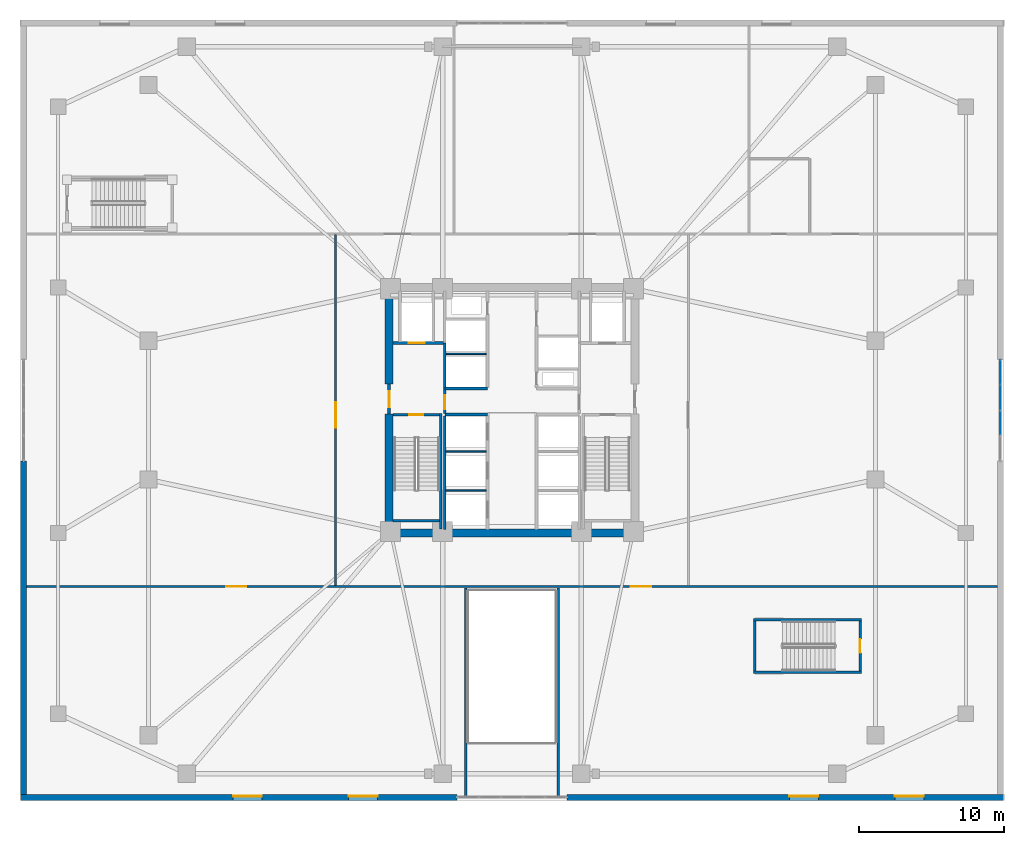
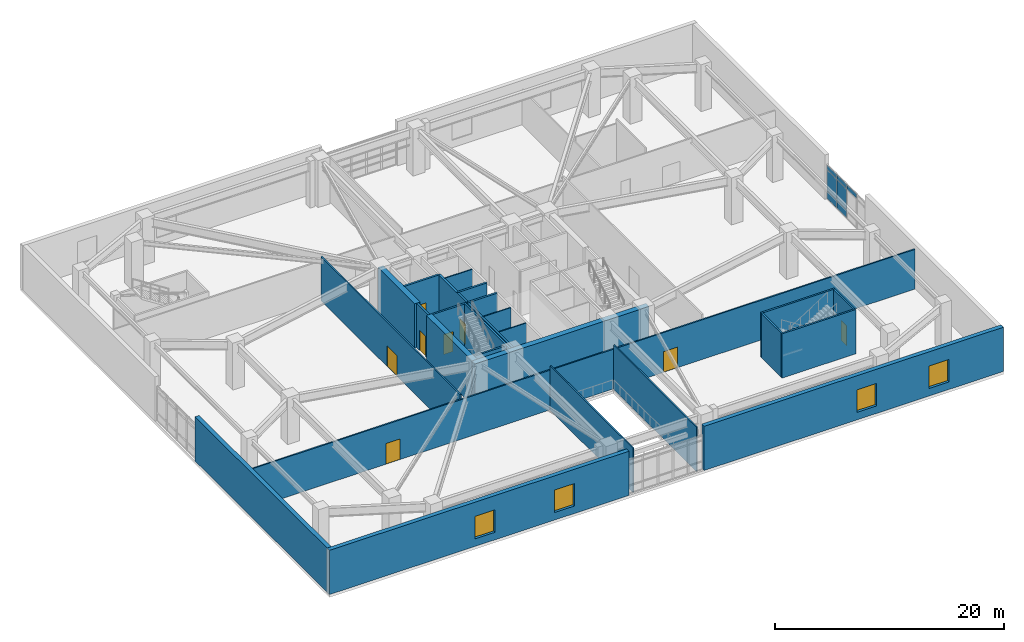
# One storey, part 11 of 20: 26 walls, 8 doors, 7 plates, 4 windows, 12 openings, 1 element without a shape of its own.
"""IFC4 building model written with IfcOpenShell, lengths in metres."""

from ifc_helpers import new_model, si_unit, direction, frame, frame_2d, origin, origin_2d, place, context, subcontext, project, spatial, rectangle, extrude, material, layer, layer_set, type_object, element, fill, aggregate, save


model = new_model("IFC4")

# Units and contexts
model_context = context("Model", 3, precision=1e-05, world=origin(), true_north=direction((0.0, 1.0)))
body_context = subcontext(model_context, "Body", "Model", "MODEL_VIEW")
ifc_project = project(units=[si_unit("LENGTHUNIT", "METRE"), si_unit("AREAUNIT", "SQUARE_METRE"), si_unit("VOLUMEUNIT", "CUBIC_METRE"), si_unit("PLANEANGLEUNIT", "RADIAN"), si_unit("MASSUNIT", "GRAM", prefix="KILO")], contexts=[model_context])

# Site, building, storey
site_placement = place(None, origin())
site = spatial("IfcSite", under=ifc_project, at=site_placement, CompositionType="ELEMENT")
building_placement = place(site_placement, origin())
building = spatial("IfcBuilding", under=site, at=building_placement, Name="Cairnveth Concourse Tower", CompositionType="ELEMENT")
storey_placement = place(building_placement, frame((0.0, 0.0, 5.0)))
storey = spatial("IfcBuildingStorey", under=building, at=storey_placement, Name="L01", CompositionType="ELEMENT", Elevation=5.0)

# Curtain wall, plates
ifc_material_1 = material(Name="Architectural Bronze Anodised Aluminium 6063-T6", Category="aluminium")
ifc_layer_1 = layer(ifc_material_1, 0.340087890625)
ifc_layer_set_1 = layer_set([ifc_layer_1], Name="Architectural Bronze Anodised Aluminium 6063-T6")
curtain_wall_type = type_object("IfcCurtainWallType", Name="PODIUM RETAIL SHOPFRONT CURTAIN WALL", PredefinedType="USERDEFINED", material=ifc_layer_set_1)
curtain_wall_placement = place(storey_placement, origin())
curtain_wall = element("IfcCurtainWall", 1, at=curtain_wall_placement, inside=storey, type_object=curtain_wall_type, Name="Curtain Wall CW-L01-E-SHOP1", ObjectType="SHOPFRONT GLAZING", PredefinedType="USERDEFINED")
ifc_material_2 = material(Name="Double Glazed Low-E Clear Glass", Category="glass")
ifc_layer_2 = layer(ifc_material_2, 0.028076171875)
ifc_layer_set_2 = layer_set([ifc_layer_2], Name="Double Glazed Low-E Clear Glass")
plate_type = type_object("IfcPlateType", Name="DOUBLE GLAZED LOW-E CURTAIN PANEL 28", PredefinedType="CURTAIN_PANEL", material=ifc_layer_set_2)
plate_1_placement = place(storey_placement, frame((85.7900390625, 41.6201171875, 0.06494140625), z_axis=(0.0, 0.0, 1.0), x_axis=(0.0, -1.0, 0.0)))
plate_1 = element("IfcPlate", 2, at=plate_1_placement, type_object=plate_type, Name="CWS2 panel 1.1", PredefinedType="CURTAIN_PANEL", context=body_context, shape_type="SweptSolid", body=[
    extrude(rectangle(XDim=1.659912109375, YDim=0.028076171875, at=origin_2d()), origin(), (0.0, 0.0, 1.0), 0.802490234375),
])
plate_2_placement = place(storey_placement, frame((85.7900390625, 41.6201171875, 0.9326171875), z_axis=(0.0, 0.0, 1.0), x_axis=(0.0, -1.0, 0.0)))
plate_2 = element("IfcPlate", 3, at=plate_2_placement, type_object=plate_type, Name="CWS2 panel 1.2", PredefinedType="CURTAIN_PANEL", context=body_context, shape_type="SweptSolid", body=[
    extrude(rectangle(XDim=1.659912109375, YDim=0.028076171875, at=origin_2d()), origin(), (0.0, 0.0, 1.0), 2.180908203125),
])
plate_3_placement = place(storey_placement, frame((85.7900390625, 41.6201171875, 3.1787109375), z_axis=(0.0, 0.0, 1.0), x_axis=(0.0, -1.0, 0.0)))
plate_3 = element("IfcPlate", 4, at=plate_3_placement, type_object=plate_type, Name="CWS2 panel 1.3", PredefinedType="CURTAIN_PANEL", context=body_context, shape_type="SweptSolid", body=[
    extrude(rectangle(XDim=1.659912109375, YDim=0.028076171875, at=origin_2d()), origin(), (0.0, 0.0, 1.0), 0.452392578125),
])
plate_4_placement = place(storey_placement, frame((85.7900390625, 39.878662109375, 0.06494140625), z_axis=(0.0, 0.0, 1.0), x_axis=(0.0, -1.0, 0.0)))
plate_4 = element("IfcPlate", 5, at=plate_4_placement, type_object=plate_type, Name="CWS2 panel 2.1", PredefinedType="CURTAIN_PANEL", context=body_context, shape_type="SweptSolid", body=[
    extrude(rectangle(XDim=1.6923828125, YDim=0.028076171875, at=origin_2d()), origin(), (0.0, 0.0, 1.0), 0.802490234375),
])
plate_5_placement = place(storey_placement, frame((85.7900390625, 39.878662109375, 0.9326171875), z_axis=(0.0, 0.0, 1.0), x_axis=(0.0, -1.0, 0.0)))
plate_5 = element("IfcPlate", 6, at=plate_5_placement, type_object=plate_type, Name="CWS2 panel 2.2", PredefinedType="CURTAIN_PANEL", context=body_context, shape_type="SweptSolid", body=[
    extrude(rectangle(XDim=1.6923828125, YDim=0.028076171875, at=origin_2d()), origin(), (0.0, 0.0, 1.0), 2.180908203125),
])
plate_6_placement = place(storey_placement, frame((85.7900390625, 39.878662109375, 3.1787109375), z_axis=(0.0, 0.0, 1.0), x_axis=(0.0, -1.0, 0.0)))
plate_6 = element("IfcPlate", 7, at=plate_6_placement, type_object=plate_type, Name="CWS2 panel 2.3", PredefinedType="CURTAIN_PANEL", context=body_context, shape_type="SweptSolid", body=[
    extrude(rectangle(XDim=1.6923828125, YDim=0.028076171875, at=origin_2d()), origin(), (0.0, 0.0, 1.0), 0.452392578125),
])
plate_7_placement = place(storey_placement, frame((85.7900390625, 38.121337890625, 3.1787109375), z_axis=(0.0, 0.0, 1.0), x_axis=(0.0, -1.0, 0.0)))
plate_7 = element("IfcPlate", 8, at=plate_7_placement, type_object=plate_type, Name="CWS2 panel 3.3", PredefinedType="CURTAIN_PANEL", context=body_context, shape_type="SweptSolid", body=[
    extrude(rectangle(XDim=1.6923828125, YDim=0.028076171875, at=origin_2d()), origin(), (0.0, 0.0, 1.0), 0.452392578125),
])
aggregate(curtain_wall, [plate_1, plate_2, plate_3, plate_4, plate_5, plate_6, plate_7])

# Walls
ifc_material_3 = material(Name="Concrete N80 (80 MPa)", Category="concrete")
ifc_layer_3 = layer(ifc_material_3, 0.550048828125)
ifc_layer_set_3 = layer_set([ifc_layer_3], Name="Concrete N80 (80 MPa)")
wall_type_1 = type_object("IfcWallType", Name="CORE SHEAR WALL 550", PredefinedType="SHEAR", material=ifc_layer_set_3)
wall_1_placement = place(storey_placement, frame((43.22509765625, 30.5, 0.0), z_axis=(0.0, 0.0, 1.0), x_axis=(1.0, 0.0, 0.0)))
element("IfcWall", 9, at=wall_1_placement, inside=storey, type_object=wall_type_1, Name="Core South Shear Wall L01", PredefinedType="SHEAR", context=body_context, shape_type="SweptSolid", body=[
    extrude(rectangle(XDim=17.5498046875, YDim=0.550048828125, at=frame_2d((8.77490234375, 0.0))), origin(), (0.0, 0.0, 1.0), 4.719970703125),
])
wall_2_placement = place(storey_placement, frame((43.5, 30.764892578125, 0.0), z_axis=(0.0, 0.0, 1.0), x_axis=(0.0, 1.0, 0.0)))
element("IfcWall", 10, at=wall_2_placement, inside=storey, type_object=wall_type_1, Name="Core West Shear Wall S L01", PredefinedType="SHEAR", context=body_context, shape_type="SweptSolid", body=[
    extrude(rectangle(XDim=7.985107421875, YDim=0.550048828125, at=frame_2d((3.99267578125, 0.0))), origin(), (0.0, 0.0, 1.0), 4.719970703125),
])
wall_3_placement = place(storey_placement, frame((43.5, 40.800048828125, 0.0), z_axis=(0.0, 0.0, 1.0), x_axis=(0.0, 1.0, 0.0)))
element("IfcWall", 11, at=wall_3_placement, inside=storey, type_object=wall_type_1, Name="Core West Shear Wall N L01", PredefinedType="SHEAR", context=body_context, shape_type="SweptSolid", body=[
    extrude(rectangle(XDim=6.43505859375, YDim=0.550048828125, at=frame_2d((3.217529296875, 0.0))), origin(), (0.0, 0.0, 1.0), 4.719970703125),
])
ifc_material_4 = material(Name="Concrete N50 (50 MPa)", Category="concrete")
ifc_layer_4 = layer(ifc_material_4, 0.179931640625)
ifc_layer_set_4 = layer_set([ifc_layer_4], Name="Concrete N50 (50 MPa)")
wall_type_2 = type_object("IfcWallType", Name="FIRE SHAFT WALL 180", PredefinedType="SOLIDWALL", material=ifc_layer_set_4)
wall_4_placement = place(storey_placement, frame((47.35009765625, 30.760009765625, 0.0), z_axis=(0.0, 0.0, 1.0), x_axis=(0.0, 1.0, 0.0)))
element("IfcWall", 12, at=wall_4_placement, inside=storey, type_object=wall_type_2, Name="Interior Wall IW-L01-025", PredefinedType="SOLIDWALL", context=body_context, shape_type="SweptSolid", body=[
    extrude(rectangle(XDim=7.85498046875, YDim=0.179931640625, at=frame_2d((3.927490234375, 0.0))), origin(), (0.0, 0.0, 1.0), 4.719970703125),
])

# Wall, opening, door
wall_5_placement = place(storey_placement, frame((43.764892578125, 38.68994140625, 0.0), z_axis=(0.0, 0.0, 1.0), x_axis=(1.0, 0.0, 0.0)))
wall_5 = element("IfcWall", 13, at=wall_5_placement, inside=storey, type_object=wall_type_2, Name="Stair ST-1 Shaft Wall NEAR L01", PredefinedType="SOLIDWALL", context=body_context, shape_type="SweptSolid", body=[
    extrude(rectangle(XDim=3.230224609375, YDim=0.179931640625, at=frame_2d((1.615234375, 0.0))), origin(), (0.0, 0.0, 1.0), 4.719970703125),
])
opening_1_placement = place(wall_5_placement, frame((1.139892578125, 0.0, 0.0)))
opening_1 = element("IfcOpeningElement", 14, at=opening_1_placement, cuts=wall_5, Name="Opening ID12", PredefinedType="OPENING", context=body_context, shape_type="SweptSolid", body=[
    extrude(rectangle(XDim=0.949951171875, YDim=2.14990234375, at=frame_2d((0.47509765625, 1.074951171875))), frame((0.0, 0.099853515625, 0.0), z_axis=(0.0, -1.0, 0.0), x_axis=(1.0, 0.0, 0.0)), (0.0, 0.0, 1.0), 0.199951171875),
])
ifc_material_5 = material(Name="Steel Grade 350", Category="steel")
door_type_1 = type_object("IfcDoorType", Name="FIRE STAIR DOOR 950X2150", OperationType="NOTDEFINED", PredefinedType="DOOR", material=ifc_material_5)
door_1_placement = place(opening_1_placement, origin())
door_1 = element("IfcDoor", 15, at=door_1_placement, inside=storey, type_object=door_type_1, Name="Stair ST-1 Fire Door L01", OperationType="SINGLE_SWING_LEFT", OverallHeight=2.14990234375, OverallWidth=0.949951171875, PredefinedType="DOOR", context=body_context, shape_type="SweptSolid", body=[
    extrude(rectangle(XDim=0.949951171875, YDim=2.14990234375, at=frame_2d((0.47509765625, 1.074951171875))), frame((0.0, 0.02490234375, 0.0), z_axis=(0.0, -1.0, 0.0), x_axis=(1.0, 0.0, 0.0)), (0.0, 0.0, 1.0), 0.050048828125),
])
fill(opening_1, door_1)

# Walls
wall_6_placement = place(storey_placement, frame((43.764892578125, 31.360107421875, 0.0), z_axis=(0.0, 0.0, 1.0), x_axis=(1.0, 0.0, 0.0)))
element("IfcWall", 16, at=wall_6_placement, inside=storey, type_object=wall_type_2, Name="Stair ST-1 Shaft Wall FAR L01", PredefinedType="SOLIDWALL", context=body_context, shape_type="SweptSolid", body=[
    extrude(rectangle(XDim=3.230224609375, YDim=0.179931640625, at=frame_2d((1.615234375, 0.0))), origin(), (0.0, 0.0, 1.0), 4.719970703125),
])
wall_7_placement = place(storey_placement, frame((47.070068359375, 38.780029296875, 0.0), z_axis=(0.0, 0.0, 1.0), x_axis=(0.0, -1.0, 0.0)))
element("IfcWall", 17, at=wall_7_placement, inside=storey, type_object=wall_type_2, Name="Stair ST-1 Shaft Wall RGHT L01", PredefinedType="SOLIDWALL", context=body_context, shape_type="SweptSolid", body=[
    extrude(rectangle(XDim=8.01708984375, YDim=0.179931640625, at=frame_2d((4.008544921875, 0.0))), origin(), (0.0, 0.0, 1.0), 4.719970703125),
])

# Wall, opening, door
wall_8_placement = place(storey_placement, frame((76.090087890625, 24.4150390625, 0.0), z_axis=(0.0, 0.0, 1.0), x_axis=(0.0, -1.0, 0.0)))
wall_8 = element("IfcWall", 18, at=wall_8_placement, inside=storey, type_object=wall_type_2, Name="Stair ST-P2 Shaft Wall NEAR L01", PredefinedType="SOLIDWALL", context=body_context, shape_type="SweptSolid", body=[
    extrude(rectangle(XDim=3.469970703125, YDim=0.179931640625, at=frame_2d((1.73486328125, 0.0))), origin(), (0.0, 0.0, 1.0), 4.719970703125),
])
opening_2_placement = place(wall_8_placement, frame((1.260009765625, 0.0, 0.0)))
opening_2 = element("IfcOpeningElement", 19, at=opening_2_placement, cuts=wall_8, Name="Opening ID12", PredefinedType="OPENING", context=body_context, shape_type="SweptSolid", body=[
    extrude(rectangle(XDim=0.949951171875, YDim=2.14990234375, at=frame_2d((0.47509765625, 1.074951171875))), frame((0.0, 0.099853515625, 0.0), z_axis=(0.0, -1.0, 0.0), x_axis=(1.0, 0.0, 0.0)), (0.0, 0.0, 1.0), 0.199951171875),
])
door_2_placement = place(opening_2_placement, origin())
door_2 = element("IfcDoor", 20, at=door_2_placement, inside=storey, type_object=door_type_1, Name="Stair ST-P2 Fire Door L01", OperationType="SINGLE_SWING_RIGHT", OverallHeight=2.14990234375, OverallWidth=0.949951171875, PredefinedType="DOOR", context=body_context, shape_type="SweptSolid", body=[
    extrude(rectangle(XDim=0.949951171875, YDim=2.14990234375, at=frame_2d((0.47509765625, 1.074951171875))), frame((0.0, 0.02490234375, 0.0), z_axis=(0.0, -1.0, 0.0), x_axis=(1.0, 0.0, 0.0)), (0.0, 0.0, 1.0), 0.050048828125),
])
fill(opening_2, door_2)

# Walls
wall_9_placement = place(storey_placement, frame((68.81005859375, 24.4150390625, 0.0), z_axis=(0.0, 0.0, 1.0), x_axis=(0.0, -1.0, 0.0)))
element("IfcWall", 21, at=wall_9_placement, inside=storey, type_object=wall_type_2, Name="Stair ST-P2 Shaft Wall FAR L01", PredefinedType="SOLIDWALL", context=body_context, shape_type="SweptSolid", body=[
    extrude(rectangle(XDim=3.469970703125, YDim=0.179931640625, at=frame_2d((1.73486328125, 0.0))), origin(), (0.0, 0.0, 1.0), 4.719970703125),
])
for number, where, z_axis, x_axis, name in (
    (22, (76.179931640625, 24.489990234375, 0.0), (0.0, 0.0, 1.0), (-1.0, 0.0, 0.0), "Stair ST-P2 Shaft Wall LEFT L01"),
    (23, (76.179931640625, 20.8701171875, 0.0), (0.0, 0.0, 1.0), (-1.0, 0.0, 0.0), "Stair ST-P2 Shaft Wall RGHT L01"),
):
    element("IfcWall", number, at=place(storey_placement, frame(where, z_axis=z_axis, x_axis=x_axis)), inside=storey, type_object=wall_type_2, Name=name, PredefinedType="SOLIDWALL", context=body_context, shape_type="SweptSolid", body=[
        extrude(rectangle(XDim=7.4599609375, YDim=0.179931640625, at=frame_2d((3.72998046875, 0.0))), origin(), (0.0, 0.0, 1.0), 4.719970703125),
    ])
ifc_layer_5 = layer(ifc_material_4, 0.199951171875)
ifc_layer_set_5 = layer_set([ifc_layer_5], Name="Concrete N50 (50 MPa)")
wall_type_3 = type_object("IfcWallType", Name="FIRE SHAFT WALL 200", PredefinedType="SOLIDWALL", material=ifc_layer_set_5)
for number, where, z_axis, x_axis, name in (
    (24, (47.35009765625, 38.699951171875, 0.0), (0.0, 0.0, 1.0), (1.0, 0.0, 0.0), "Interior Wall IW-L01-007"),
    (25, (47.35009765625, 40.5, 0.0), (0.0, 0.0, 1.0), (1.0, 0.0, 0.0), "Interior Wall IW-L01-008"),
):
    element("IfcWall", number, at=place(storey_placement, frame(where, z_axis=z_axis, x_axis=x_axis)), inside=storey, type_object=wall_type_3, Name=name, PredefinedType="SOLIDWALL", context=body_context, shape_type="SweptSolid", body=[
        extrude(rectangle(XDim=2.949951171875, YDim=0.199951171875, at=frame_2d((1.47509765625, 0.0))), origin(), (0.0, 0.0, 1.0), 4.719970703125),
    ])

# Wall, opening, door
wall_10_placement = place(storey_placement, frame((43.5, 38.75, 0.0), z_axis=(0.0, 0.0, 1.0), x_axis=(0.0, 1.0, 0.0)))
wall_10 = element("IfcWall", 26, at=wall_10_placement, inside=storey, type_object=wall_type_3, Name="Interior Wall IW-L01-015", PredefinedType="SOLIDWALL", context=body_context, shape_type="SweptSolid", body=[
    extrude(rectangle(XDim=2.050048828125, YDim=0.199951171875, at=frame_2d((1.02490234375, 0.0))), origin(), (0.0, 0.0, 1.0), 4.719970703125),
])
opening_3_placement = place(wall_10_placement, frame((0.449951171875, 0.0, 0.0)))
opening_3 = element("IfcOpeningElement", 27, at=opening_3_placement, cuts=wall_10, Name="Opening ID06", PredefinedType="OPENING", context=body_context, shape_type="SweptSolid", body=[
    extrude(rectangle(XDim=1.10009765625, YDim=2.14990234375, at=frame_2d((0.550048828125, 1.074951171875))), frame((0.0, 0.10986328125, 0.0), z_axis=(0.0, -1.0, 0.0), x_axis=(1.0, 0.0, 0.0)), (0.0, 0.0, 1.0), 0.219970703125),
])
door_type_2 = type_object("IfcDoorType", Name="FIRE CORRIDOR DOOR 1100X2150", OperationType="NOTDEFINED", PredefinedType="DOOR", material=ifc_material_5)
door_3_placement = place(opening_3_placement, origin())
door_3 = element("IfcDoor", 28, at=door_3_placement, inside=storey, type_object=door_type_2, Name="West Wing to FF Lobby Door L01", OperationType="SINGLE_SWING_LEFT", OverallHeight=2.14990234375, OverallWidth=1.10009765625, PredefinedType="DOOR", context=body_context, shape_type="SweptSolid", body=[
    extrude(rectangle(XDim=1.10009765625, YDim=2.14990234375, at=frame_2d((0.550048828125, 1.074951171875))), frame((0.0, 0.02490234375, 0.0), z_axis=(0.0, -1.0, 0.0), x_axis=(1.0, 0.0, 0.0)), (0.0, 0.0, 1.0), 0.050048828125),
])
fill(opening_3, door_3)

wall_11_placement = place(storey_placement, frame((47.35009765625, 38.784912109375, 0.0), z_axis=(0.0, 0.0, 1.0), x_axis=(0.0, 1.0, 0.0)))
wall_11 = element("IfcWall", 29, at=wall_11_placement, inside=storey, type_object=wall_type_3, Name="Interior Wall IW-L01-016", PredefinedType="SOLIDWALL", context=body_context, shape_type="SweptSolid", body=[
    extrude(rectangle(XDim=4.864990234375, YDim=0.199951171875, at=frame_2d((2.4326171875, 0.0))), origin(), (0.0, 0.0, 1.0), 4.719970703125),
])
opening_4_placement = place(wall_11_placement, frame((0.264892578125, 0.0, 0.0)))
opening_4 = element("IfcOpeningElement", 30, at=opening_4_placement, cuts=wall_11, Name="Opening ID07", PredefinedType="OPENING", context=body_context, shape_type="SweptSolid", body=[
    extrude(rectangle(XDim=1.0, YDim=2.14990234375, at=frame_2d((0.5, 1.074951171875))), frame((0.0, 0.10986328125, 0.0), z_axis=(0.0, -1.0, 0.0), x_axis=(1.0, 0.0, 0.0)), (0.0, 0.0, 1.0), 0.219970703125),
])
door_type_3 = type_object("IfcDoorType", Name="FIRE CORRIDOR DOOR 1000X2150", OperationType="NOTDEFINED", PredefinedType="DOOR", material=ifc_material_5)
door_4_placement = place(opening_4_placement, origin())
door_4 = element("IfcDoor", 31, at=door_4_placement, inside=storey, type_object=door_type_3, Name="FF Lobby West to Lift Lobby Door L01", OperationType="SINGLE_SWING_RIGHT", OverallHeight=2.14990234375, OverallWidth=1.0, PredefinedType="DOOR", context=body_context, shape_type="SweptSolid", body=[
    extrude(rectangle(XDim=1.0, YDim=2.14990234375, at=frame_2d((0.5, 1.074951171875))), frame((0.0, 0.02490234375, 0.0), z_axis=(0.0, -1.0, 0.0), x_axis=(1.0, 0.0, 0.0)), (0.0, 0.0, 1.0), 0.050048828125),
])
fill(opening_4, door_4)

wall_12_placement = place(storey_placement, frame((43.760009765625, 43.64990234375, 0.0), z_axis=(0.0, 0.0, 1.0), x_axis=(1.0, 0.0, 0.0)))
wall_12 = element("IfcWall", 32, at=wall_12_placement, inside=storey, type_object=wall_type_3, Name="Interior Wall IW-L01-017", PredefinedType="SOLIDWALL", context=body_context, shape_type="SweptSolid", body=[
    extrude(rectangle(XDim=3.5048828125, YDim=0.199951171875, at=frame_2d((1.75244140625, 0.0))), origin(), (0.0, 0.0, 1.0), 4.719970703125),
])
opening_5_placement = place(wall_12_placement, frame((1.110107421875, 0.0, 0.0)))
opening_5 = element("IfcOpeningElement", 33, at=opening_5_placement, cuts=wall_12, Name="Opening LD-1", PredefinedType="OPENING", context=body_context, shape_type="SweptSolid", body=[
    extrude(rectangle(XDim=1.10009765625, YDim=2.199951171875, at=frame_2d((0.550048828125, 1.10009765625))), frame((0.0, 0.10986328125, 0.0), z_axis=(0.0, -1.0, 0.0), x_axis=(1.0, 0.0, 0.0)), (0.0, 0.0, 1.0), 0.219970703125),
])
door_type_4 = type_object("IfcDoorType", Name="LIFT LANDING DOOR 1100X2200", OperationType="SLIDING_TO_LEFT", PredefinedType="DOOR", material=ifc_material_1)
door_5_placement = place(opening_5_placement, origin())
door_5 = element("IfcDoor", 34, at=door_5_placement, inside=storey, type_object=door_type_4, Name="Lift FFL1 Landing Door L01", OperationType="SLIDING_TO_LEFT", OverallHeight=2.199951171875, OverallWidth=1.10009765625, PredefinedType="DOOR", context=body_context, shape_type="SweptSolid", body=[
    extrude(rectangle(XDim=1.10009765625, YDim=2.199951171875, at=frame_2d((0.550048828125, 1.10009765625))), frame((0.0, 0.02490234375, 0.0), z_axis=(0.0, -1.0, 0.0), x_axis=(1.0, 0.0, 0.0)), (0.0, 0.0, 1.0), 0.050048828125),
])
fill(opening_5, door_5)

# Wall, openings, doors
ifc_material_6 = material(Name="Gypsum Plasterboard Partition", Category="gypsum")
ifc_layer_6 = layer(ifc_material_6, 0.139892578125)
ifc_layer_set_6 = layer_set([ifc_layer_6], Name="Gypsum Plasterboard Partition")
wall_type_4 = type_object("IfcWallType", Name="GYPSUM STUD PARTITION 140", PredefinedType="PARTITIONING", material=ifc_layer_set_6)
wall_13_placement = place(storey_placement, frame((18.405029296875, 26.800048828125, 0.0), z_axis=(0.0, 0.0, 1.0), x_axis=(1.0, 0.0, 0.0)))
wall_13 = element("IfcWall", 35, at=wall_13_placement, inside=storey, type_object=wall_type_4, Name="Interior Wall IW-L01-037", PredefinedType="PARTITIONING", context=body_context, shape_type="SweptSolid", body=[
    extrude(rectangle(XDim=67.18994140625, YDim=0.139892578125, at=frame_2d((33.594970703125, 0.0))), origin(), (0.0, 0.0, 1.0), 4.238037109375),
])
opening_6_placement = place(wall_13_placement, frame((13.81494140625, 0.0, 0.0)))
opening_6 = element("IfcOpeningElement", 36, at=opening_6_placement, cuts=wall_13, Name="Opening ID03", PredefinedType="OPENING", context=body_context, shape_type="SweptSolid", body=[
    extrude(rectangle(XDim=1.39990234375, YDim=2.199951171875, at=frame_2d((0.699951171875, 1.10009765625))), frame((0.0, 0.079833984375, 0.0), z_axis=(0.0, -1.0, 0.0), x_axis=(1.0, 0.0, 0.0)), (0.0, 0.0, 1.0), 0.159912109375),
])
opening_7_placement = place(wall_13_placement, frame((41.81494140625, 0.0, 0.0)))
opening_7 = element("IfcOpeningElement", 37, at=opening_7_placement, cuts=wall_13, Name="Opening ID03", PredefinedType="OPENING", context=body_context, shape_type="SweptSolid", body=[
    extrude(rectangle(XDim=1.39990234375, YDim=2.199951171875, at=frame_2d((0.699951171875, 1.10009765625))), frame((0.0, 0.079833984375, 0.0), z_axis=(0.0, -1.0, 0.0), x_axis=(1.0, 0.0, 0.0)), (0.0, 0.0, 1.0), 0.159912109375),
])
door_type_5 = type_object("IfcDoorType", Name="RETAIL GLAZED DOOR 1400X2200", OperationType="DOUBLE_DOOR_SINGLE_SWING", PredefinedType="DOOR", material=ifc_material_1)
door_6_placement = place(opening_6_placement, origin())
door_6 = element("IfcDoor", 38, at=door_6_placement, inside=storey, type_object=door_type_5, Name="Interior Door DR-L01-013", OperationType="SINGLE_SWING_LEFT", OverallHeight=2.199951171875, OverallWidth=1.39990234375, PredefinedType="DOOR", context=body_context, shape_type="SweptSolid", body=[
    extrude(rectangle(XDim=1.39990234375, YDim=2.199951171875, at=frame_2d((0.699951171875, 1.10009765625))), frame((0.0, 0.02490234375, 0.0), z_axis=(0.0, -1.0, 0.0), x_axis=(1.0, 0.0, 0.0)), (0.0, 0.0, 1.0), 0.050048828125),
])
fill(opening_6, door_6)
door_7_placement = place(opening_7_placement, origin())
door_7 = element("IfcDoor", 39, at=door_7_placement, inside=storey, type_object=door_type_5, Name="Interior Door DR-L01-014", OperationType="SINGLE_SWING_RIGHT", OverallHeight=2.199951171875, OverallWidth=1.39990234375, PredefinedType="DOOR", context=body_context, shape_type="SweptSolid", body=[
    extrude(rectangle(XDim=1.39990234375, YDim=2.199951171875, at=frame_2d((0.699951171875, 1.10009765625))), frame((0.0, 0.02490234375, 0.0), z_axis=(0.0, -1.0, 0.0), x_axis=(1.0, 0.0, 0.0)), (0.0, 0.0, 1.0), 0.050048828125),
])
fill(opening_7, door_7)

# Wall, opening, door
wall_14_placement = place(storey_placement, frame((39.800048828125, 26.85498046875, 0.0), z_axis=(0.0, 0.0, 1.0), x_axis=(0.0, 1.0, 0.0)))
wall_14 = element("IfcWall", 40, at=wall_14_placement, inside=storey, type_object=wall_type_4, Name="Interior Wall IW-L01-039", PredefinedType="PARTITIONING", context=body_context, shape_type="SweptSolid", body=[
    extrude(rectangle(XDim=24.2900390625, YDim=0.139892578125, at=frame_2d((12.14501953125, 0.0))), origin(), (0.0, 0.0, 1.0), 4.719970703125),
])
opening_8_placement = place(wall_14_placement, frame((10.945068359375, 0.0, 0.0)))
opening_8 = element("IfcOpeningElement", 41, at=opening_8_placement, cuts=wall_14, Name="Opening ID27", PredefinedType="OPENING", context=body_context, shape_type="SweptSolid", body=[
    extrude(rectangle(XDim=1.760009765625, YDim=2.199951171875, at=frame_2d((0.8798828125, 1.10009765625))), frame((0.0, 0.079833984375, 0.0), z_axis=(0.0, -1.0, 0.0), x_axis=(1.0, 0.0, 0.0)), (0.0, 0.0, 1.0), 0.159912109375),
])
ifc_material_7 = material(Name="Solid Core Hardwood Timber Leaf", Category="wood")
door_type_6 = type_object("IfcDoorType", Name="CONCOURSE DOUBLE DOOR 1760X2200", OperationType="DOUBLE_DOOR_SINGLE_SWING", PredefinedType="DOOR", material=ifc_material_7)
door_8_placement = place(opening_8_placement, origin())
door_8 = element("IfcDoor", 42, at=door_8_placement, inside=storey, type_object=door_type_6, Name="Interior Door DR-L01-019", OperationType="DOUBLE_DOOR_SINGLE_SWING", OverallHeight=2.199951171875, OverallWidth=1.760009765625, PredefinedType="DOOR", context=body_context, shape_type="SweptSolid", body=[
    extrude(rectangle(XDim=1.760009765625, YDim=2.199951171875, at=frame_2d((0.8798828125, 1.10009765625))), frame((0.0, 0.02490234375, 0.0), z_axis=(0.0, -1.0, 0.0), x_axis=(1.0, 0.0, 0.0)), (0.0, 0.0, 1.0), 0.050048828125),
])
fill(opening_8, door_8)

# Walls
for number, where, z_axis, x_axis, name in (
    (43, (48.800048828125, 12.219970703125, 0.0), (0.0, 0.0, 1.0), (0.0, 1.0, 0.0), "Interior Wall IW-L01-041"),
    (44, (55.199951171875, 12.219970703125, 0.0), (0.0, 0.0, 1.0), (0.0, 1.0, 0.0), "Interior Wall IW-L01-042"),
):
    element("IfcWall", number, at=place(storey_placement, frame(where, z_axis=z_axis, x_axis=x_axis)), inside=storey, type_object=wall_type_4, Name=name, PredefinedType="PARTITIONING", context=body_context, shape_type="SweptSolid", body=[
        extrude(rectangle(XDim=14.47998046875, YDim=0.139892578125, at=frame_2d((7.239990234375, 0.0))), origin(), (0.0, 0.0, 1.0), 4.719970703125),
    ])

# Wall, openings, windows
ifc_material_8 = material(Name="Hawthorn Red-Ochre Fired Clay Brick Masonry", Category="masonry")
ifc_layer_7 = layer(ifc_material_8, 0.419921875)
ifc_layer_set_7 = layer_set([ifc_layer_7], Name="Hawthorn Red-Ochre Fired Clay Brick Masonry")
wall_type_5 = type_object("IfcWallType", Name="PODIUM HAWTHORN BRICK WALL 420", PredefinedType="SOLIDWALL", material=ifc_layer_set_7)
wall_15_placement = place(storey_placement, frame((86.0, 12.2099609375, 0.0), z_axis=(0.0, 0.0, 1.0), x_axis=(-1.0, 0.0, 0.0)))
wall_15 = element("IfcWall", 45, at=wall_15_placement, inside=storey, type_object=wall_type_5, Name="Exterior Wall EW-L01-SE", PredefinedType="SOLIDWALL", context=body_context, shape_type="SweptSolid", body=[
    extrude(rectangle(XDim=30.199951171875, YDim=0.419921875, at=frame_2d((15.10009765625, 0.0))), origin(), (0.0, 0.0, 1.0), 4.719970703125),
])
opening_9_placement = place(wall_15_placement, frame((5.5, 0.0, 0.800048828125)))
opening_9 = element("IfcOpeningElement", 46, at=opening_9_placement, cuts=wall_15, Name="Opening W10", PredefinedType="OPENING", context=body_context, shape_type="SweptSolid", body=[
    extrude(rectangle(XDim=2.0, YDim=2.39990234375, at=frame_2d((1.0, 1.199951171875))), frame((0.0, 0.219970703125, 0.0), z_axis=(0.0, -1.0, 0.0), x_axis=(1.0, 0.0, 0.0)), (0.0, 0.0, 1.0), 0.43994140625),
])
opening_10_placement = place(wall_15_placement, frame((12.800048828125, 0.0, 0.800048828125)))
opening_10 = element("IfcOpeningElement", 47, at=opening_10_placement, cuts=wall_15, Name="Opening W10", PredefinedType="OPENING", context=body_context, shape_type="SweptSolid", body=[
    extrude(rectangle(XDim=2.0, YDim=2.39990234375, at=frame_2d((1.0, 1.199951171875))), frame((0.0, 0.219970703125, 0.0), z_axis=(0.0, -1.0, 0.0), x_axis=(1.0, 0.0, 0.0)), (0.0, 0.0, 1.0), 0.43994140625),
])
window_type = type_object("IfcWindowType", Name="DEEP-SET PODIUM ARCHED WINDOW 2000X2400", PartitioningType="DOUBLE_PANEL_VERTICAL", PredefinedType="WINDOW", material=ifc_material_2)
window_1_placement = place(opening_9_placement, origin())
window_1 = element("IfcWindow", 48, at=window_1_placement, inside=storey, type_object=window_type, Name="WIN-L01-SE-1", OverallHeight=2.39990234375, OverallWidth=2.0, PartitioningType="SINGLE_PANEL", PredefinedType="WINDOW", context=body_context, shape_type="SweptSolid", body=[
    extrude(rectangle(XDim=2.0, YDim=2.39990234375, at=frame_2d((1.0, 1.199951171875))), frame((0.0, -0.050048828125, 0.0), z_axis=(0.0, -1.0, 0.0), x_axis=(1.0, 0.0, 0.0)), (0.0, 0.0, 1.0), 0.06005859375),
])
fill(opening_9, window_1)
window_2_placement = place(opening_10_placement, origin())
window_2 = element("IfcWindow", 49, at=window_2_placement, inside=storey, type_object=window_type, Name="WIN-L01-SE-2", OverallHeight=2.39990234375, OverallWidth=2.0, PartitioningType="SINGLE_PANEL", PredefinedType="WINDOW", context=body_context, shape_type="SweptSolid", body=[
    extrude(rectangle(XDim=2.0, YDim=2.39990234375, at=frame_2d((1.0, 1.199951171875))), frame((0.0, -0.050048828125, 0.0), z_axis=(0.0, -1.0, 0.0), x_axis=(1.0, 0.0, 0.0)), (0.0, 0.0, 1.0), 0.06005859375),
])
fill(opening_10, window_2)

wall_16_placement = place(storey_placement, frame((48.199951171875, 12.2099609375, 0.0), z_axis=(0.0, 0.0, 1.0), x_axis=(-1.0, 0.0, 0.0)))
wall_16 = element("IfcWall", 50, at=wall_16_placement, inside=storey, type_object=wall_type_5, Name="Exterior Wall EW-L01-SW", PredefinedType="SOLIDWALL", context=body_context, shape_type="SweptSolid", body=[
    extrude(rectangle(XDim=30.199951171875, YDim=0.419921875, at=frame_2d((15.10009765625, 0.0))), origin(), (0.0, 0.0, 1.0), 4.719970703125),
])
opening_11_placement = place(wall_16_placement, frame((5.5, 0.0, 0.800048828125)))
opening_11 = element("IfcOpeningElement", 51, at=opening_11_placement, cuts=wall_16, Name="Opening W10", PredefinedType="OPENING", context=body_context, shape_type="SweptSolid", body=[
    extrude(rectangle(XDim=2.0, YDim=2.39990234375, at=frame_2d((1.0, 1.199951171875))), frame((0.0, 0.219970703125, 0.0), z_axis=(0.0, -1.0, 0.0), x_axis=(1.0, 0.0, 0.0)), (0.0, 0.0, 1.0), 0.43994140625),
])
opening_12_placement = place(wall_16_placement, frame((13.5, 0.0, 0.800048828125)))
opening_12 = element("IfcOpeningElement", 52, at=opening_12_placement, cuts=wall_16, Name="Opening W10", PredefinedType="OPENING", context=body_context, shape_type="SweptSolid", body=[
    extrude(rectangle(XDim=2.0, YDim=2.39990234375, at=frame_2d((1.0, 1.199951171875))), frame((0.0, 0.219970703125, 0.0), z_axis=(0.0, -1.0, 0.0), x_axis=(1.0, 0.0, 0.0)), (0.0, 0.0, 1.0), 0.43994140625),
])
window_3_placement = place(opening_11_placement, origin())
window_3 = element("IfcWindow", 53, at=window_3_placement, inside=storey, type_object=window_type, Name="WIN-L01-SW-1", OverallHeight=2.39990234375, OverallWidth=2.0, PartitioningType="SINGLE_PANEL", PredefinedType="WINDOW", context=body_context, shape_type="SweptSolid", body=[
    extrude(rectangle(XDim=2.0, YDim=2.39990234375, at=frame_2d((1.0, 1.199951171875))), frame((0.0, -0.050048828125, 0.0), z_axis=(0.0, -1.0, 0.0), x_axis=(1.0, 0.0, 0.0)), (0.0, 0.0, 1.0), 0.06005859375),
])
fill(opening_11, window_3)
window_4_placement = place(opening_12_placement, origin())
window_4 = element("IfcWindow", 54, at=window_4_placement, inside=storey, type_object=window_type, Name="WIN-L01-SW-2", OverallHeight=2.39990234375, OverallWidth=2.0, PartitioningType="SINGLE_PANEL", PredefinedType="WINDOW", context=body_context, shape_type="SweptSolid", body=[
    extrude(rectangle(XDim=2.0, YDim=2.39990234375, at=frame_2d((1.0, 1.199951171875))), frame((0.0, -0.050048828125, 0.0), z_axis=(0.0, -1.0, 0.0), x_axis=(1.0, 0.0, 0.0)), (0.0, 0.0, 1.0), 0.06005859375),
])
fill(opening_12, window_4)

# Walls
wall_17_placement = place(storey_placement, frame((18.2099609375, 12.405029296875, 0.0), z_axis=(0.0, 0.0, 1.0), x_axis=(0.0, 1.0, 0.0)))
element("IfcWall", 55, at=wall_17_placement, inside=storey, type_object=wall_type_5, Name="Exterior Wall EW-L01-W1", PredefinedType="SOLIDWALL", context=body_context, shape_type="SweptSolid", body=[
    extrude(rectangle(XDim=23.094970703125, YDim=0.419921875, at=frame_2d((11.54736328125, 0.0))), origin(), (0.0, 0.0, 1.0), 4.719970703125),
])
ifc_layer_8 = layer(ifc_material_6, 0.110107421875)
ifc_layer_set_8 = layer_set([ifc_layer_8], Name="Gypsum Plasterboard Partition")
wall_type_6 = type_object("IfcWallType", Name="SHAFT DIVIDER WALL 140", PredefinedType="PARTITIONING", material=ifc_layer_set_8)
for number, where, z_axis, x_axis, name in (
    (56, (47.425048828125, 33.449951171875, 0.0), (0.0, 0.0, 1.0), (1.0, 0.0, 0.0), "Interior Wall IW-L01-026"),
    (57, (47.425048828125, 36.14990234375, 0.0), (0.0, 0.0, 1.0), (1.0, 0.0, 0.0), "Interior Wall IW-L01-027"),
):
    element("IfcWall", number, at=place(storey_placement, frame(where, z_axis=z_axis, x_axis=x_axis)), inside=storey, type_object=wall_type_6, Name=name, PredefinedType="PARTITIONING", context=body_context, shape_type="SweptSolid", body=[
        extrude(rectangle(XDim=2.7900390625, YDim=0.110107421875, at=frame_2d((1.39501953125, 0.0))), origin(), (0.0, 0.0, 1.0), 4.719970703125),
    ])
wall_18_placement = place(storey_placement, frame((47.43505859375, 42.89990234375, 0.0), z_axis=(0.0, 0.0, 1.0), x_axis=(1.0, 0.0, 0.0)))
element("IfcWall", 58, at=wall_18_placement, inside=storey, type_object=wall_type_6, Name="Interior Wall IW-L01-032", PredefinedType="PARTITIONING", context=body_context, shape_type="SweptSolid", body=[
    extrude(rectangle(XDim=2.780029296875, YDim=0.110107421875, at=frame_2d((1.39013671875, 0.0))), origin(), (0.0, 0.0, 1.0), 4.719970703125),
])

save(model, "model.ifc")
